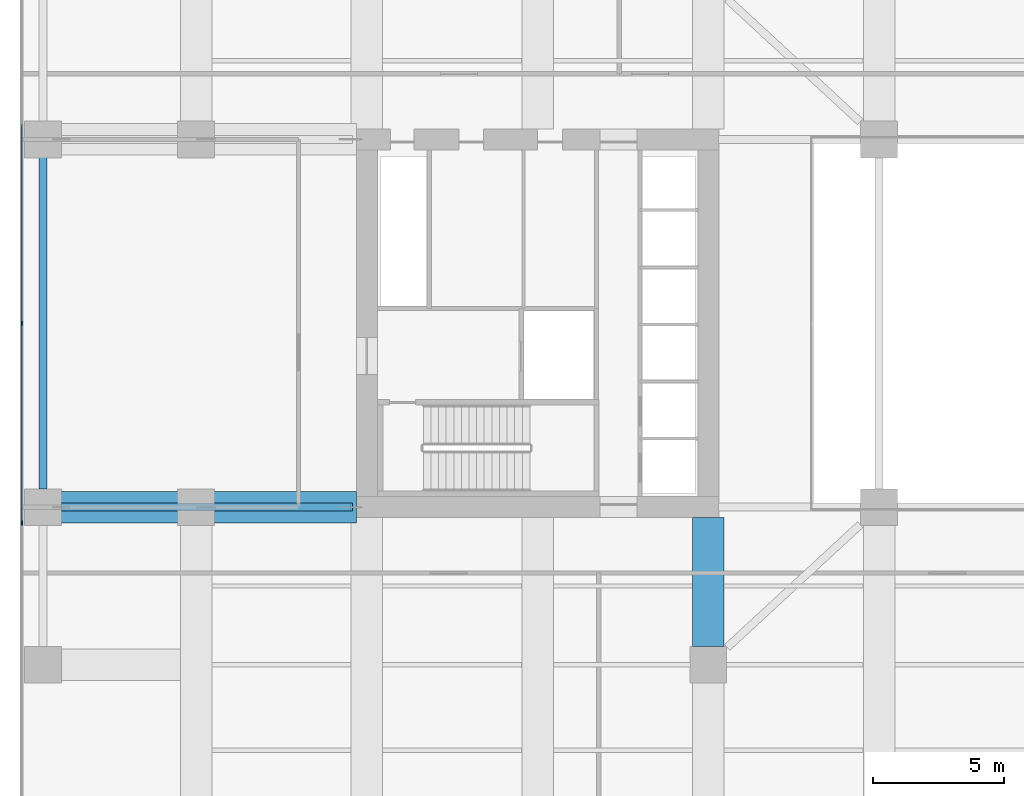
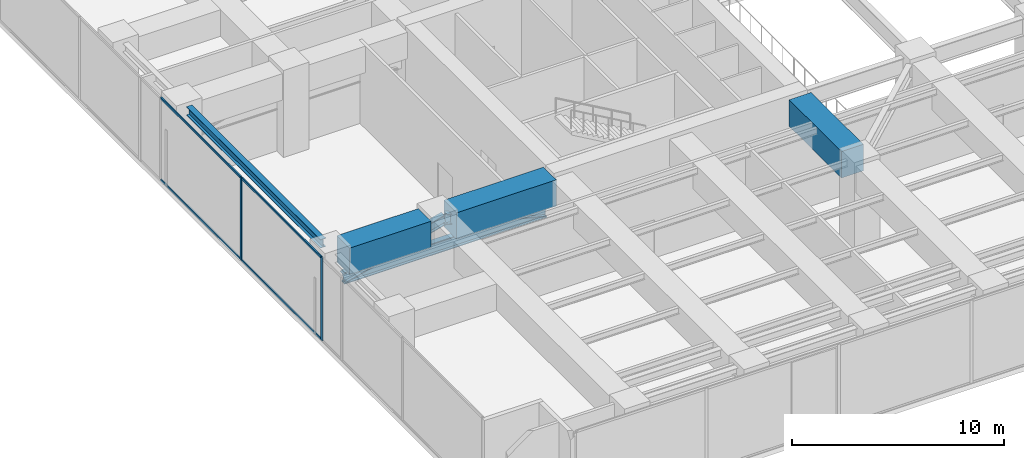
# One storey, part 4 of 31: 9 members, 4 beams, 1 element without a shape of its own.
"""IFC4 building model written with IfcOpenShell, lengths in metres."""

from ifc_helpers import new_model, si_unit, direction, frame, origin, origin_2d, place, context, subcontext, project, spatial, rectangle, i_section, extrude, material, layer, layer_set, material_profile, profile_set, type_object, element, aggregate, save


model = new_model("IFC4")

# Units and contexts
model_context = context("Model", 3, precision=1e-05, world=origin(), true_north=direction((0.0, 1.0)))
body_context = subcontext(model_context, "Body", "Model", "MODEL_VIEW")
ifc_project = project(units=[si_unit("LENGTHUNIT", "METRE"), si_unit("AREAUNIT", "SQUARE_METRE"), si_unit("VOLUMEUNIT", "CUBIC_METRE"), si_unit("PLANEANGLEUNIT", "RADIAN"), si_unit("MASSUNIT", "GRAM", prefix="KILO")], contexts=[model_context])

# Site, building, storey
site_placement = place(None, origin())
site = spatial("IfcSite", under=ifc_project, at=site_placement, CompositionType="ELEMENT")
building_placement = place(site_placement, origin())
building = spatial("IfcBuilding", under=site, at=building_placement, Name="Putna Gate Headquarters", CompositionType="ELEMENT")
storey_placement = place(building_placement, frame((0.0, 0.0, 81.0)))
storey = spatial("IfcBuildingStorey", under=building, at=storey_placement, Name="L19", CompositionType="ELEMENT", Elevation=81.0)

# Beams
ifc_material_1 = material(Name="Steel S355J2", Category="steel")
ifc_material_profile_1 = material_profile(ifc_material_1, i_section(OverallWidth=0.300048828125, OverallDepth=0.489990234375, WebThickness=0.011962890625, FlangeThickness=0.02294921875, at=origin_2d()), Name="Steel S355J2")
ifc_profile_set_1 = profile_set([ifc_material_profile_1], Name="Steel S355J2")
beam_type_1 = type_object("IfcBeamType", Name="BM-SPAN-Z2-HEA500", PredefinedType="SPANDREL", material=ifc_profile_set_1)
beam_1_placement = place(storey_placement, frame((0.679931640625, 19.68798828125, 4.52001953125), z_axis=(0.0, 1.0, 0.0), x_axis=(-1.0, 0.0, 0.0)))
element("IfcBeam", 1, at=beam_1_placement, inside=storey, type_object=beam_type_1, Name="L19 W End Spandrel 2", PredefinedType="SPANDREL", context=body_context, shape_type="SweptSolid", body=[
    extrude(i_section(OverallWidth=0.300048828125, OverallDepth=0.489990234375, WebThickness=0.011962890625, FlangeThickness=0.02294921875, at=origin_2d()), origin(), (0.0, 0.0, 1.0), 12.6240234375),
])
ifc_material_2 = material(Name="Concrete C50/60", Category="concrete")
ifc_material_profile_2 = material_profile(ifc_material_2, rectangle(XDim=1.199951171875, YDim=1.52001953125, at=origin_2d()), Name="Concrete C50/60")
ifc_profile_set_2 = profile_set([ifc_material_profile_2], Name="Concrete C50/60")
beam_type_2 = type_object("IfcBeamType", Name="BM-TG-RC1520", PredefinedType="USERDEFINED", material=ifc_profile_set_2)
beam_2_placement = place(storey_placement, frame((1.367919921875, 19.0, 4.0048828125), z_axis=(1.0, 0.0, 0.0), x_axis=(0.0, 1.0, 0.0)))
element("IfcBeam", 2, at=beam_2_placement, inside=storey, type_object=beam_type_2, Name="L19 West Wing Girder Y19-1", ObjectType="GIRDER", PredefinedType="USERDEFINED", context=body_context, shape_type="SweptSolid", body=[
    extrude(rectangle(XDim=1.199951171875, YDim=1.52001953125, at=origin_2d()), origin(), (0.0, 0.0, 1.0), 4.444091796875),
])
beam_3_placement = place(storey_placement, frame((7.18798828125, 19.0, 4.0048828125), z_axis=(1.0, 0.0, 0.0), x_axis=(0.0, 1.0, 0.0)))
element("IfcBeam", 3, at=beam_3_placement, inside=storey, type_object=beam_type_2, Name="L19 West Wing Girder Y19-2", ObjectType="GIRDER", PredefinedType="USERDEFINED", context=body_context, shape_type="SweptSolid", body=[
    extrude(rectangle(XDim=1.199951171875, YDim=1.52001953125, at=origin_2d()), origin(), (0.0, 0.0, 1.0), 5.427001953125),
])
beam_4_placement = place(storey_placement, frame((26.0, 13.68798828125, 4.0048828125), z_axis=(0.0, 1.0, 0.0), x_axis=(-1.0, 0.0, 0.0)))
element("IfcBeam", 4, at=beam_4_placement, inside=storey, type_object=beam_type_2, Name="L19 South Primary Girder X26-2", ObjectType="GIRDER", PredefinedType="USERDEFINED", context=body_context, shape_type="SweptSolid", body=[
    extrude(rectangle(XDim=1.199951171875, YDim=1.52001953125, at=origin_2d()), origin(), (0.0, 0.0, 1.0), 4.927001953125),
])

# Members
ifc_material_3 = material(Name="Steel S460M", Category="steel")
ifc_material_profile_3 = material_profile(ifc_material_3, i_section(OverallWidth=0.304931640625, OverallDepth=0.66796875, WebThickness=0.02099609375, FlangeThickness=0.0400390625, at=origin_2d()), Name="Steel S460M")
ifc_profile_set_3 = profile_set([ifc_material_profile_3], Name="Steel S460M")
member_type_1 = type_object("IfcMemberType", Name="MEM-OUTRIGGER-CHORD-HEM650", PredefinedType="CHORD", material=ifc_profile_set_3)
member_1_placement = place(storey_placement, frame((1.364990234375, 19.0, 2.75), z_axis=(1.0, 0.0, 0.0), x_axis=(0.0, 1.0, 0.0)))
element("IfcMember", 5, at=member_1_placement, inside=storey, type_object=member_type_1, Name="L19 Outrigger Bottom Chord WS", PredefinedType="CHORD", context=body_context, shape_type="SweptSolid", body=[
    extrude(i_section(OverallWidth=0.304931640625, OverallDepth=0.66796875, WebThickness=0.02099609375, FlangeThickness=0.0400390625, at=origin_2d()), origin(), (0.0, 0.0, 1.0), 11.014892578125),
])
ifc_material_profile_4 = material_profile(ifc_material_3, i_section(OverallWidth=0.305908203125, OverallDepth=0.572021484375, WebThickness=0.02099609375, FlangeThickness=0.0400390625, at=origin_2d()), Name="Steel S460M")
ifc_profile_set_4 = profile_set([ifc_material_profile_4], Name="Steel S460M")
member_type_2 = type_object("IfcMemberType", Name="MEM-OUTRIGGER-DIAG-HEM550", PredefinedType="BRACE", material=ifc_profile_set_4)
member_2_placement = place(storey_placement, frame((1.364990234375, 19.0, 2.75), z_axis=(0.96639189338, 0.0, 0.257073352195), x_axis=(0.0, 1.0, 0.0)))
element("IfcMember", 6, at=member_2_placement, inside=storey, type_object=member_type_2, Name="L19 Outrigger Truss Brace WS-1", PredefinedType="BRACE", context=body_context, shape_type="SweptSolid", body=[
    extrude(i_section(OverallWidth=0.305908203125, OverallDepth=0.572021484375, WebThickness=0.02099609375, FlangeThickness=0.0400390625, at=origin_2d()), origin(), (0.0, 0.0, 1.0), 5.69921875),
])
member_3_placement = place(storey_placement, frame((6.87255859375, 19.0, 4.215087890625), z_axis=(0.966389062154, 0.0, -0.257083995123), x_axis=(0.0, 1.0, 0.0)))
element("IfcMember", 7, at=member_3_placement, inside=storey, type_object=member_type_2, Name="L19 Outrigger Truss Brace WS-2", PredefinedType="BRACE", context=body_context, shape_type="SweptSolid", body=[
    extrude(i_section(OverallWidth=0.305908203125, OverallDepth=0.572021484375, WebThickness=0.02099609375, FlangeThickness=0.0400390625, at=origin_2d()), origin(), (0.0, 0.0, 1.0), 5.698974609375),
])

# Curtain wall, members
ifc_material_4 = material(Name="Anodised bronze aluminium curtain wall", Category="aluminium")
ifc_layer = layer(ifc_material_4, 0.159912109375)
ifc_layer_set = layer_set([ifc_layer], Name="Anodised bronze aluminium curtain wall")
curtain_wall_type = type_object("IfcCurtainWallType", Name="CW-SYS-CRN", PredefinedType="USERDEFINED", material=ifc_layer_set)
curtain_wall_placement = place(storey_placement, origin())
curtain_wall = element("IfcCurtainWall", 8, at=curtain_wall_placement, inside=storey, type_object=curtain_wall_type, Name="L19 Acoustic Louvre West Enclosure", ObjectType="STICK CURTAIN WALL", PredefinedType="USERDEFINED")
ifc_material_5 = material(Name="Anodised bronze aluminium EN AW-6060", Category="aluminium")
ifc_material_profile_5 = material_profile(ifc_material_5, rectangle(XDim=0.06494140625, YDim=0.159912109375, at=origin_2d()), Name="Anodised bronze aluminium EN AW-6060")
ifc_profile_set_5 = profile_set([ifc_material_profile_5], Name="Anodised bronze aluminium EN AW-6060")
member_type_3 = type_object("IfcMemberType", Name="MULL-CWM-CR", PredefinedType="MULLION", material=ifc_profile_set_5)
member_4_placement = place(storey_placement, frame((-0.1201171875, 18.39990234375, 0.0), z_axis=(0.0, 0.0, 1.0), x_axis=(-1.0, 0.0, 0.0)))
member_4 = element("IfcMember", 9, at=member_4_placement, type_object=member_type_3, Name="CWS-CR mullion 3", PredefinedType="MULLION", context=body_context, shape_type="SweptSolid", body=[
    extrude(rectangle(XDim=0.06494140625, YDim=0.159912109375, at=origin_2d()), origin(), (0.0, 0.0, 1.0), 4.764892578125),
])
member_5_placement = place(storey_placement, frame((-0.1201171875, 26.0, 0.0), z_axis=(0.0, 0.0, 1.0), x_axis=(-1.0, 0.0, 0.0)))
member_5 = element("IfcMember", 10, at=member_5_placement, type_object=member_type_3, Name="CWS-CR mullion 4", PredefinedType="MULLION", context=body_context, shape_type="SweptSolid", body=[
    extrude(rectangle(XDim=0.06494140625, YDim=0.159912109375, at=origin_2d()), origin(), (0.0, 0.0, 1.0), 4.764892578125),
])
ifc_material_profile_6 = material_profile(ifc_material_5, rectangle(XDim=0.06494140625, YDim=0.1201171875, at=origin_2d()), Name="Anodised bronze aluminium EN AW-6060")
ifc_profile_set_6 = profile_set([ifc_material_profile_6], Name="Anodised bronze aluminium EN AW-6060")
member_type_4 = type_object("IfcMemberType", Name="TRAN-CWT-CR", PredefinedType="USERDEFINED", material=ifc_profile_set_6)
member_6_placement = place(storey_placement, frame((-0.1201171875, 18.4326171875, 0.032470703125), z_axis=(0.0, 1.0, 0.0), x_axis=(-1.0, 0.0, 0.0)))
member_6 = element("IfcMember", 11, at=member_6_placement, type_object=member_type_4, Name="CWS-CR transom 3.1", ObjectType="TRANSOM", PredefinedType="USERDEFINED", context=body_context, shape_type="SweptSolid", body=[
    extrude(rectangle(XDim=0.06494140625, YDim=0.1201171875, at=origin_2d()), origin(), (0.0, 0.0, 1.0), 7.534912109375),
])
member_7_placement = place(storey_placement, frame((-0.1201171875, 18.4326171875, 4.732421875), z_axis=(0.0, 1.0, 0.0), x_axis=(-1.0, 0.0, 0.0)))
member_7 = element("IfcMember", 12, at=member_7_placement, type_object=member_type_4, Name="CWS-CR transom 3.2", ObjectType="TRANSOM", PredefinedType="USERDEFINED", context=body_context, shape_type="SweptSolid", body=[
    extrude(rectangle(XDim=0.06494140625, YDim=0.1201171875, at=origin_2d()), origin(), (0.0, 0.0, 1.0), 7.534912109375),
])
member_8_placement = place(storey_placement, frame((-0.1201171875, 26.032470703125, 0.032470703125), z_axis=(0.0, 1.0, 0.0), x_axis=(-1.0, 0.0, 0.0)))
member_8 = element("IfcMember", 13, at=member_8_placement, type_object=member_type_4, Name="CWS-CR transom 4.1", ObjectType="TRANSOM", PredefinedType="USERDEFINED", context=body_context, shape_type="SweptSolid", body=[
    extrude(rectangle(XDim=0.06494140625, YDim=0.1201171875, at=origin_2d()), origin(), (0.0, 0.0, 1.0), 7.534912109375),
])
member_9_placement = place(storey_placement, frame((-0.1201171875, 26.032470703125, 4.732421875), z_axis=(0.0, 1.0, 0.0), x_axis=(-1.0, 0.0, 0.0)))
member_9 = element("IfcMember", 14, at=member_9_placement, type_object=member_type_4, Name="CWS-CR transom 4.2", ObjectType="TRANSOM", PredefinedType="USERDEFINED", context=body_context, shape_type="SweptSolid", body=[
    extrude(rectangle(XDim=0.06494140625, YDim=0.1201171875, at=origin_2d()), origin(), (0.0, 0.0, 1.0), 7.534912109375),
])
aggregate(curtain_wall, [member_4, member_5, member_6, member_7, member_8, member_9])

save(model, "model.ifc")
